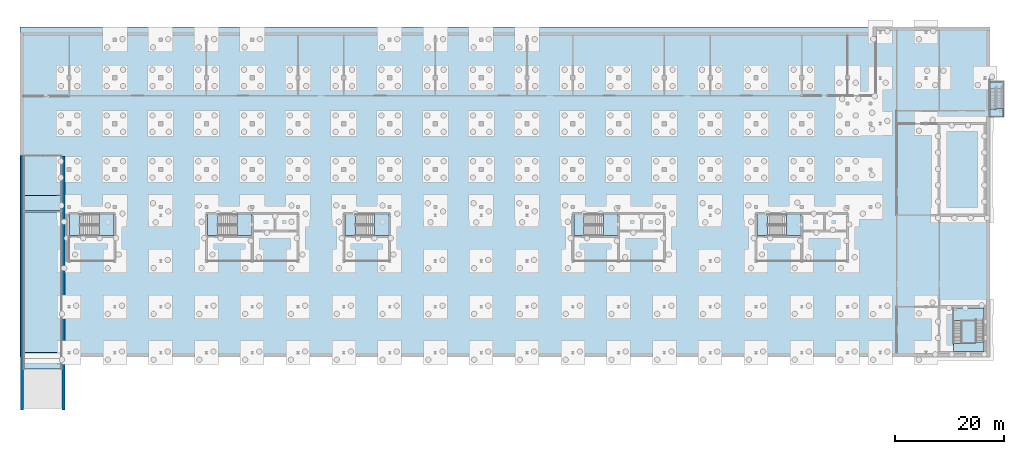
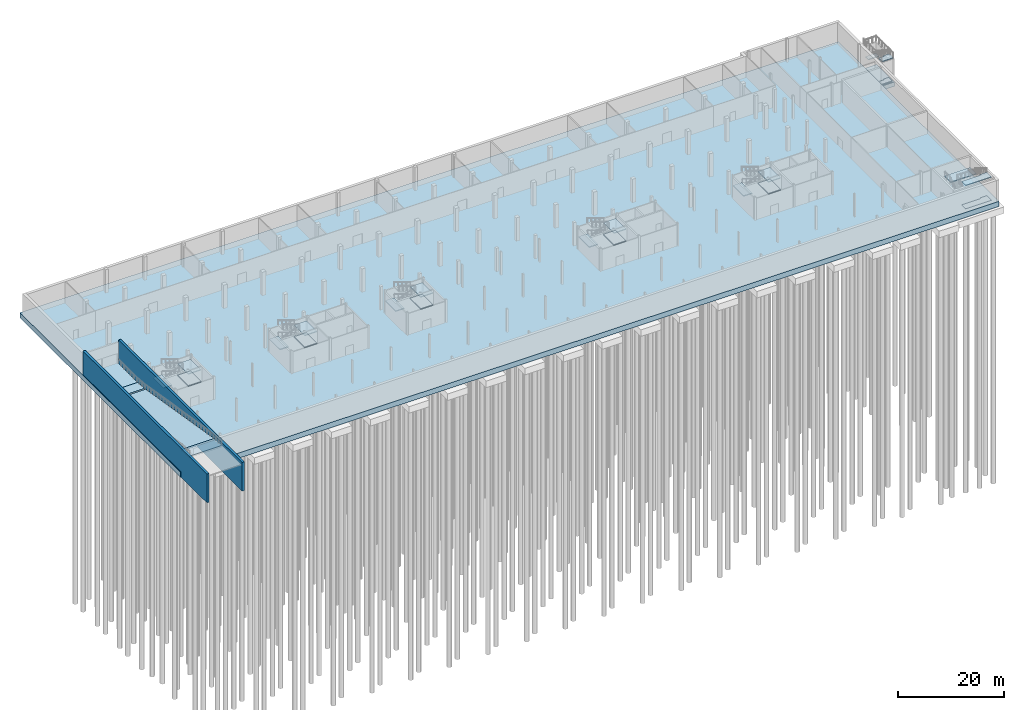
# One storey, part 13 of 29: 26 slabs, 2 walls, 8 elements without a shape of their own.
"""IFC4 building model written with IfcOpenShell, lengths in metres."""

from ifc_helpers import new_model, si_unit, direction, frame, frame_2d, origin, place, context, subcontext, project, spatial, polyline, rectangle, outline, extrude, material, layer, layer_set, type_object, element, aggregate, save


model = new_model("IFC4")

# Units and contexts
model_context = context("Model", 3, precision=1e-05, world=origin(), true_north=direction((0.0, 1.0)))
body_context = subcontext(model_context, "Body", "Model", "MODEL_VIEW")
ifc_project = project(units=[si_unit("LENGTHUNIT", "METRE"), si_unit("AREAUNIT", "SQUARE_METRE"), si_unit("VOLUMEUNIT", "CUBIC_METRE"), si_unit("PLANEANGLEUNIT", "RADIAN"), si_unit("MASSUNIT", "GRAM", prefix="KILO")], contexts=[model_context])

# Site, building, storey
site_placement = place(None, origin())
site = spatial("IfcSite", under=ifc_project, at=site_placement, CompositionType="ELEMENT")
building_placement = place(site_placement, origin())
building = spatial("IfcBuilding", under=site, at=building_placement, Name="Cresset Court Congress Hotel", CompositionType="ELEMENT")
storey_placement = place(building_placement, frame((0.0, 0.0, -5.39990234375)))
storey = spatial("IfcBuildingStorey", under=building, at=storey_placement, Name="B1", CompositionType="ELEMENT", Elevation=-5.39990234375)

# Slabs
ifc_material_1 = material(Name="Concrete C35", Category="concrete")
ifc_layer_1 = layer(ifc_material_1, 1.0)
ifc_layer_set_1 = layer_set([ifc_layer_1], Name="Raft slab 1000")
slab_type_1 = type_object("IfcSlabType", Name="Raft slab 1000", PredefinedType="BASESLAB", material=ifc_layer_set_1)
slab_1_placement = place(storey_placement, frame((0.0, 0.0, -1.2001953125)))
element("IfcSlab", 1, at=slab_1_placement, inside=storey, type_object=slab_type_1, Name="Raft stub light well", PredefinedType="BASESLAB", context=body_context, shape_type="SweptSolid", body=[
    extrude(outline(polyline([(177.300048828125, 43.199951171875), (179.89990234375, 43.199951171875), (179.89990234375, 49.85009765625), (177.300048828125, 49.85009765625), (177.300048828125, 43.199951171875)])), origin(), (0.0, 0.0, 1.0), 1.0),
])
ifc_material_2 = material(Name="Concrete C35", Category="concrete")
ifc_layer_2 = layer(ifc_material_2, 1.199951171875)
ifc_layer_set_2 = layer_set([ifc_layer_2], Name="Raft slab 1200")
slab_type_2 = type_object("IfcSlabType", Name="Raft slab 1200", PredefinedType="BASESLAB", material=ifc_layer_set_2)
slab_2_placement = place(storey_placement, frame((0.0, 0.0, -1.2001953125)))
element("IfcSlab", 2, at=slab_2_placement, inside=storey, type_object=slab_type_2, Name="S.raft.B1.01", PredefinedType="BASESLAB", context=body_context, shape_type="SweptSolid", body=[
    extrude(outline(polyline([(-0.60009765625, -0.800048828125), (0.0, -0.800048828125), (0.0, 28.800048828125), (7.14990234375, 28.800048828125), (7.14990234375, -0.800048828125), (177.300048828125, -0.800048828125), (177.300048828125, 59.699951171875), (-0.60009765625, 59.699951171875), (-0.60009765625, -0.800048828125)])), origin(), (0.0, 0.0, 1.0), 1.2001953125),
])

# Stair, slabs
ifc_material_3 = material(Name="Concrete C40", Category="concrete")
stair_type_1 = type_object("IfcStairType", Name="Concrete dog-leg stair 5600", PredefinedType="HALF_TURN_STAIR", material=ifc_material_3)
stair_1_placement = place(storey_placement, origin())
stair_1 = element("IfcStair", 3, at=stair_1_placement, inside=storey, type_object=stair_type_1, Name="Stair A1 B1", PredefinedType="HALF_TURN_STAIR")
ifc_material_4 = material(Name="Concrete C40", Category="concrete")
ifc_layer_3 = layer(ifc_material_4, 0.199951171875)
ifc_layer_set_3 = layer_set([ifc_layer_3], Name="Stair landing 200")
slab_type_3 = type_object("IfcSlabType", Name="Stair landing 200", PredefinedType="LANDING", material=ifc_layer_set_3)
slab_3_placement = place(storey_placement, frame((0.0, 0.0, -0.2001953125)))
slab_3 = element("IfcSlab", 4, at=slab_3_placement, type_object=slab_type_3, Name="A-ST1 landing 1", PredefinedType="LANDING", context=body_context, shape_type="SweptSolid", body=[
    extrude(outline(polyline([(170.60009765625, 0.199951171875), (176.199951171875, 0.199951171875), (176.199951171875, 1.960693359375), (174.699951171875, 1.960693359375), (174.699951171875, 1.70068359375), (170.60009765625, 1.70068359375), (170.60009765625, 0.199951171875)])), origin(), (0.0, 0.0, 1.0), 0.2001953125),
])
slab_4_placement = place(storey_placement, frame((0.0, 0.0, 2.5)))
slab_4 = element("IfcSlab", 5, at=slab_4_placement, type_object=slab_type_3, Name="A-ST1 landing 2", PredefinedType="LANDING", context=body_context, shape_type="SweptSolid", body=[
    extrude(outline(polyline([(170.60009765625, 5.859130859375), (176.199951171875, 5.859130859375), (176.199951171875, 8.199951171875), (170.60009765625, 8.199951171875), (170.60009765625, 5.859130859375)])), origin(), (0.0, 0.0, 1.0), 0.199951171875),
])
slab_5_placement = place(storey_placement, frame((0.0, 0.0, 5.199951171875)))
slab_5 = element("IfcSlab", 6, at=slab_5_placement, type_object=slab_type_3, Name="A-ST1 landing 3", PredefinedType="LANDING", context=body_context, shape_type="SweptSolid", body=[
    extrude(outline(polyline([(170.60009765625, 0.199951171875), (176.199951171875, 0.199951171875), (176.199951171875, 1.960693359375), (174.699951171875, 1.960693359375), (174.699951171875, 1.70068359375), (170.60009765625, 1.70068359375), (170.60009765625, 0.199951171875)])), origin(), (0.0, 0.0, 1.0), 0.199951171875),
])
aggregate(stair_1, [slab_3, slab_4, slab_5])

ifc_material_5 = material(Name="Concrete C40", Category="concrete")
stair_type_2 = type_object("IfcStairType", Name="Concrete dog-leg stair 2300", PredefinedType="HALF_TURN_STAIR", material=ifc_material_5)
stair_2_placement = place(storey_placement, origin())
stair_2 = element("IfcStair", 7, at=stair_2_placement, inside=storey, type_object=stair_type_2, Name="Stair A3 B1", PredefinedType="HALF_TURN_STAIR")
slab_6_placement = place(storey_placement, frame((0.0, 0.0, -0.2001953125)))
slab_6 = element("IfcSlab", 8, at=slab_6_placement, type_object=slab_type_3, Name="A-ST3 landing 1", PredefinedType="LANDING", context=body_context, shape_type="SweptSolid", body=[
    extrude(outline(polyline([(177.300048828125, 43.449951171875), (179.60009765625, 43.449951171875), (179.60009765625, 44.810791015625), (178.5, 44.810791015625), (178.5, 44.55078125), (177.300048828125, 44.55078125), (177.300048828125, 43.449951171875)])), origin(), (0.0, 0.0, 1.0), 0.2001953125),
])
slab_7_placement = place(storey_placement, frame((0.0, 0.0, 2.5)))
slab_7 = element("IfcSlab", 9, at=slab_7_placement, type_object=slab_type_3, Name="A-ST3 landing 2", PredefinedType="LANDING", context=body_context, shape_type="SweptSolid", body=[
    extrude(outline(polyline([(177.300048828125, 48.44921875), (179.60009765625, 48.44921875), (179.60009765625, 49.550048828125), (177.300048828125, 49.550048828125), (177.300048828125, 48.44921875)])), origin(), (0.0, 0.0, 1.0), 0.199951171875),
])
slab_8_placement = place(storey_placement, frame((0.0, 0.0, 5.199951171875)))
slab_8 = element("IfcSlab", 10, at=slab_8_placement, type_object=slab_type_3, Name="A-ST3 landing 3", PredefinedType="LANDING", context=body_context, shape_type="SweptSolid", body=[
    extrude(outline(polyline([(177.300048828125, 43.300048828125), (179.75, 43.300048828125), (179.75, 44.810791015625), (178.5, 44.810791015625), (178.5, 44.55078125), (177.300048828125, 44.55078125), (177.300048828125, 43.300048828125)])), origin(), (0.0, 0.0, 1.0), 0.199951171875),
])
aggregate(stair_2, [slab_6, slab_7, slab_8])

ifc_material_6 = material(Name="Concrete C40", Category="concrete")
stair_type_3 = type_object("IfcStairType", Name="Dog-leg stair 1400 flights", PredefinedType="HALF_TURN_STAIR", material=ifc_material_6)
stair_3_placement = place(storey_placement, origin())
stair_3 = element("IfcStair", 11, at=stair_3_placement, inside=storey, type_object=stair_type_3, Name="B1 Stair ST-B1", PredefinedType="HALF_TURN_STAIR")
slab_9_placement = place(storey_placement, frame((0.0, 0.0, 1.14990234375)))
slab_9 = element("IfcSlab", 12, at=slab_9_placement, type_object=slab_type_3, Name="ST-B1 landing 1", PredefinedType="LANDING", context=body_context, shape_type="SweptSolid", body=[
    extrude(outline(polyline([(13.8798828125, 21.449951171875), (16.64990234375, 21.449951171875), (16.64990234375, 25.39990234375), (13.8798828125, 25.39990234375), (13.8798828125, 21.449951171875)])), origin(), (0.0, 0.0, 1.0), 0.199951171875),
])
slab_10_placement = place(storey_placement, frame((0.0, 0.0, 2.5)))
slab_10 = element("IfcSlab", 13, at=slab_10_placement, type_object=slab_type_3, Name="ST-B1 landing 2", PredefinedType="LANDING", context=body_context, shape_type="SweptSolid", body=[
    extrude(outline(polyline([(8.47998046875, 21.449951171875), (10.3798828125, 21.449951171875), (10.3798828125, 25.39990234375), (8.47998046875, 25.39990234375), (8.47998046875, 21.449951171875)])), origin(), (0.0, 0.0, 1.0), 0.199951171875),
])
slab_11_placement = place(storey_placement, frame((0.0, 0.0, 3.849853515625)))
slab_11 = element("IfcSlab", 14, at=slab_11_placement, type_object=slab_type_3, Name="ST-B1 landing 3", PredefinedType="LANDING", context=body_context, shape_type="SweptSolid", body=[
    extrude(outline(polyline([(13.8798828125, 21.449951171875), (16.64990234375, 21.449951171875), (16.64990234375, 25.39990234375), (13.8798828125, 25.39990234375), (13.8798828125, 21.449951171875)])), origin(), (0.0, 0.0, 1.0), 0.199951171875),
])
aggregate(stair_3, [slab_9, slab_10, slab_11])

stair_4_placement = place(storey_placement, origin())
stair_4 = element("IfcStair", 15, at=stair_4_placement, inside=storey, type_object=stair_type_3, Name="B1 Stair ST-B2", PredefinedType="HALF_TURN_STAIR")
slab_12_placement = place(storey_placement, frame((0.0, 0.0, 1.14990234375)))
slab_12 = element("IfcSlab", 16, at=slab_12_placement, type_object=slab_type_3, Name="ST-B2 landing 1", PredefinedType="LANDING", context=body_context, shape_type="SweptSolid", body=[
    extrude(outline(polyline([(39.199951171875, 21.449951171875), (41.85009765625, 21.449951171875), (41.85009765625, 25.39990234375), (39.199951171875, 25.39990234375), (39.199951171875, 21.449951171875)])), origin(), (0.0, 0.0, 1.0), 0.199951171875),
])
slab_13_placement = place(storey_placement, frame((0.0, 0.0, 2.5)))
slab_13 = element("IfcSlab", 17, at=slab_13_placement, type_object=slab_type_3, Name="ST-B2 landing 2", PredefinedType="LANDING", context=body_context, shape_type="SweptSolid", body=[
    extrude(outline(polyline([(33.800048828125, 21.449951171875), (35.699951171875, 21.449951171875), (35.699951171875, 25.39990234375), (33.800048828125, 25.39990234375), (33.800048828125, 21.449951171875)])), origin(), (0.0, 0.0, 1.0), 0.199951171875),
])
slab_14_placement = place(storey_placement, frame((0.0, 0.0, 3.849853515625)))
slab_14 = element("IfcSlab", 18, at=slab_14_placement, type_object=slab_type_3, Name="ST-B2 landing 3", PredefinedType="LANDING", context=body_context, shape_type="SweptSolid", body=[
    extrude(outline(polyline([(39.199951171875, 21.449951171875), (41.85009765625, 21.449951171875), (41.85009765625, 25.39990234375), (39.199951171875, 25.39990234375), (39.199951171875, 21.449951171875)])), origin(), (0.0, 0.0, 1.0), 0.199951171875),
])
aggregate(stair_4, [slab_12, slab_13, slab_14])

stair_5_placement = place(storey_placement, origin())
stair_5 = element("IfcStair", 19, at=stair_5_placement, inside=storey, type_object=stair_type_3, Name="B1 Stair ST-B3", PredefinedType="HALF_TURN_STAIR")
slab_15_placement = place(storey_placement, frame((0.0, 0.0, 1.14990234375)))
slab_15 = element("IfcSlab", 20, at=slab_15_placement, type_object=slab_type_3, Name="ST-B3 landing 1", PredefinedType="LANDING", context=body_context, shape_type="SweptSolid", body=[
    extrude(outline(polyline([(64.39990234375, 21.449951171875), (67.050048828125, 21.449951171875), (67.050048828125, 25.39990234375), (64.39990234375, 25.39990234375), (64.39990234375, 21.449951171875)])), origin(), (0.0, 0.0, 1.0), 0.199951171875),
])
slab_16_placement = place(storey_placement, frame((0.0, 0.0, 2.5)))
slab_16 = element("IfcSlab", 21, at=slab_16_placement, type_object=slab_type_3, Name="ST-B3 landing 2", PredefinedType="LANDING", context=body_context, shape_type="SweptSolid", body=[
    extrude(outline(polyline([(59.0, 21.449951171875), (60.89990234375, 21.449951171875), (60.89990234375, 25.39990234375), (59.0, 25.39990234375), (59.0, 21.449951171875)])), origin(), (0.0, 0.0, 1.0), 0.199951171875),
])
slab_17_placement = place(storey_placement, frame((0.0, 0.0, 3.849853515625)))
slab_17 = element("IfcSlab", 22, at=slab_17_placement, type_object=slab_type_3, Name="ST-B3 landing 3", PredefinedType="LANDING", context=body_context, shape_type="SweptSolid", body=[
    extrude(outline(polyline([(64.39990234375, 21.449951171875), (67.050048828125, 21.449951171875), (67.050048828125, 25.39990234375), (64.39990234375, 25.39990234375), (64.39990234375, 21.449951171875)])), origin(), (0.0, 0.0, 1.0), 0.199951171875),
])
aggregate(stair_5, [slab_15, slab_16, slab_17])

stair_6_placement = place(storey_placement, origin())
stair_6 = element("IfcStair", 23, at=stair_6_placement, inside=storey, type_object=stair_type_3, Name="B1 Stair ST-B4", PredefinedType="HALF_TURN_STAIR")
slab_18_placement = place(storey_placement, frame((0.0, 0.0, 1.14990234375)))
slab_18 = element("IfcSlab", 24, at=slab_18_placement, type_object=slab_type_3, Name="ST-B4 landing 1", PredefinedType="LANDING", context=body_context, shape_type="SweptSolid", body=[
    extrude(outline(polyline([(106.39990234375, 21.449951171875), (109.050048828125, 21.449951171875), (109.050048828125, 25.39990234375), (106.39990234375, 25.39990234375), (106.39990234375, 21.449951171875)])), origin(), (0.0, 0.0, 1.0), 0.199951171875),
])
slab_19_placement = place(storey_placement, frame((0.0, 0.0, 2.5)))
slab_19 = element("IfcSlab", 25, at=slab_19_placement, type_object=slab_type_3, Name="ST-B4 landing 2", PredefinedType="LANDING", context=body_context, shape_type="SweptSolid", body=[
    extrude(outline(polyline([(101.0, 21.449951171875), (102.89990234375, 21.449951171875), (102.89990234375, 25.39990234375), (101.0, 25.39990234375), (101.0, 21.449951171875)])), origin(), (0.0, 0.0, 1.0), 0.199951171875),
])
slab_20_placement = place(storey_placement, frame((0.0, 0.0, 3.849853515625)))
slab_20 = element("IfcSlab", 26, at=slab_20_placement, type_object=slab_type_3, Name="ST-B4 landing 3", PredefinedType="LANDING", context=body_context, shape_type="SweptSolid", body=[
    extrude(outline(polyline([(106.39990234375, 21.449951171875), (109.050048828125, 21.449951171875), (109.050048828125, 25.39990234375), (106.39990234375, 25.39990234375), (106.39990234375, 21.449951171875)])), origin(), (0.0, 0.0, 1.0), 0.199951171875),
])
aggregate(stair_6, [slab_18, slab_19, slab_20])

stair_7_placement = place(storey_placement, origin())
stair_7 = element("IfcStair", 27, at=stair_7_placement, inside=storey, type_object=stair_type_3, Name="B1 Stair ST-B5", PredefinedType="HALF_TURN_STAIR")
slab_21_placement = place(storey_placement, frame((0.0, 0.0, 1.14990234375)))
slab_21 = element("IfcSlab", 28, at=slab_21_placement, type_object=slab_type_3, Name="ST-B5 landing 1", PredefinedType="LANDING", context=body_context, shape_type="SweptSolid", body=[
    extrude(outline(polyline([(140.0, 21.449951171875), (142.64990234375, 21.449951171875), (142.64990234375, 25.39990234375), (140.0, 25.39990234375), (140.0, 21.449951171875)])), origin(), (0.0, 0.0, 1.0), 0.199951171875),
])
slab_22_placement = place(storey_placement, frame((0.0, 0.0, 2.5)))
slab_22 = element("IfcSlab", 29, at=slab_22_placement, type_object=slab_type_3, Name="ST-B5 landing 2", PredefinedType="LANDING", context=body_context, shape_type="SweptSolid", body=[
    extrude(outline(polyline([(134.60009765625, 21.449951171875), (136.5, 21.449951171875), (136.5, 25.39990234375), (134.60009765625, 25.39990234375), (134.60009765625, 21.449951171875)])), origin(), (0.0, 0.0, 1.0), 0.199951171875),
])
slab_23_placement = place(storey_placement, frame((0.0, 0.0, 3.849853515625)))
slab_23 = element("IfcSlab", 30, at=slab_23_placement, type_object=slab_type_3, Name="ST-B5 landing 3", PredefinedType="LANDING", context=body_context, shape_type="SweptSolid", body=[
    extrude(outline(polyline([(140.0, 21.449951171875), (142.64990234375, 21.449951171875), (142.64990234375, 25.39990234375), (140.0, 25.39990234375), (140.0, 21.449951171875)])), origin(), (0.0, 0.0, 1.0), 0.199951171875),
])
aggregate(stair_7, [slab_21, slab_22, slab_23])

# Ramp, slabs
ifc_material_7 = material(Name="Concrete C40", Category="concrete")
ramp_type = type_object("IfcRampType", Name="Car ramp 1:6", PredefinedType="STRAIGHT_RUN_RAMP", material=ifc_material_7)
ramp_placement = place(storey_placement, origin())
ramp = element("IfcRamp", 31, at=ramp_placement, inside=storey, type_object=ramp_type, Name="S.ramp.TR", PredefinedType="STRAIGHT_RUN_RAMP")
ifc_material_8 = material(Name="Concrete C40", Category="concrete")
ifc_layer_4 = layer(ifc_material_8, 0.35009765625)
ifc_layer_set_4 = layer_set([ifc_layer_4], Name="Vehicle ramp slab 350 C40")
slab_type_4 = type_object("IfcSlabType", Name="Vehicle ramp slab 350 C40", PredefinedType="FLOOR", material=ifc_layer_set_4)
slab_24_placement = place(storey_placement, frame((0.0, -3.0, 4.7998046875), z_axis=(0.0, 0.083045479854, 0.996545758245), x_axis=(1.0, 0.0, 0.0)))
slab_24 = element("IfcSlab", 32, at=slab_24_placement, type_object=slab_type_4, Name="S.ramp.TR.F1", PredefinedType="FLOOR", context=body_context, shape_type="SweptSolid", body=[
    extrude(outline(polyline([(0.0, 0.0), (3.574951171875, 0.0), (7.14990234375, 0.0), (7.14990234375, 1.505199322349037), (7.14990234375, 3.010398644698074), (3.574951171875, 3.010398644698074), (0.0, 3.010398644698074), (0.0, 1.505199322349037), (0.0, 0.0)])), origin(), (0.0, 0.0, -1.0), 0.35009765625),
])
slab_25_placement = place(storey_placement, frame((0.0, 0.0, 4.5498046875), z_axis=(0.0, 0.164391419146, 0.986395185162), x_axis=(1.0, 0.0, 0.0)))
slab_25 = element("IfcSlab", 33, at=slab_25_placement, type_object=slab_type_4, Name="S.ramp.TR.F2", PredefinedType="FLOOR", context=body_context, shape_type="SweptSolid", body=[
    extrude(outline(polyline([(0.0, 0.0), (3.574951171875, 0.0), (7.14990234375, 0.0), (7.14990234375, 13.077827058251907), (7.14990234375, 26.15589493564082), (3.574951171875, 26.15589493564082), (0.0, 26.15589493564082), (0.0, 13.077827058251907), (0.0, 0.0)])), origin(), (0.0, 0.0, -1.0), 0.35009765625),
])
slab_26_placement = place(storey_placement, frame((0.0, 26.10009765625, 0.25), z_axis=(0.0, 0.092199863775, 0.995740520979), x_axis=(1.0, 0.0, 0.0)))
slab_26 = element("IfcSlab", 34, at=slab_26_placement, type_object=slab_type_4, Name="S.ramp.TR.F3", PredefinedType="FLOOR", context=body_context, shape_type="SweptSolid", body=[
    extrude(outline(polyline([(0.0, 0.0), (3.574951171875, 0.0), (7.14990234375, 0.0), (7.14990234375, 1.3556288258658786), (7.14990234375, 2.711500752444887), (3.574951171875, 2.711500752444887), (0.0, 2.711500752444887), (0.0, 1.3556288258658786), (0.0, 0.0)])), origin(), (0.0, 0.0, -1.0), 0.35009765625),
])
aggregate(ramp, [slab_24, slab_25, slab_26])

# Walls
ifc_material_9 = material(Name="Concrete C40", Category="concrete")
ifc_layer_5 = layer(ifc_material_9, 0.5)
ifc_layer_set_5 = layer_set([ifc_layer_5], Name="Trench wall 500")
wall_type = type_object("IfcWallType", Name="Trench wall 500", PredefinedType="SOLIDWALL", material=ifc_layer_set_5)
wall_1_placement = place(storey_placement, frame((-0.25, -10.5, -1.2001953125), z_axis=(0.0, 0.0, 1.0), x_axis=(0.0, 1.0, 0.0)))
element("IfcWall", 35, at=wall_1_placement, inside=storey, type_object=wall_type, Name="S.wall.TR.W", PredefinedType="SOLIDWALL", context=body_context, shape_type="SweptSolid", body=[
    extrude(rectangle(XDim=46.699951171875, YDim=0.5, at=frame_2d((23.35009765625, 0.0))), origin(), (0.0, 0.0, 1.0), 6.60009765625),
])
wall_2_placement = place(storey_placement, frame((7.39990234375, -10.5, -1.2001953125), z_axis=(0.0, 0.0, 1.0), x_axis=(0.0, 1.0, 0.0)))
element("IfcWall", 36, at=wall_2_placement, inside=storey, type_object=wall_type, Name="S.wall.TR.E", PredefinedType="SOLIDWALL", context=body_context, shape_type="SweptSolid", body=[
    extrude(rectangle(XDim=46.5, YDim=0.5, at=frame_2d((23.25, 0.0))), origin(), (0.0, 0.0, 1.0), 6.60009765625),
])

save(model, "model.ifc")
